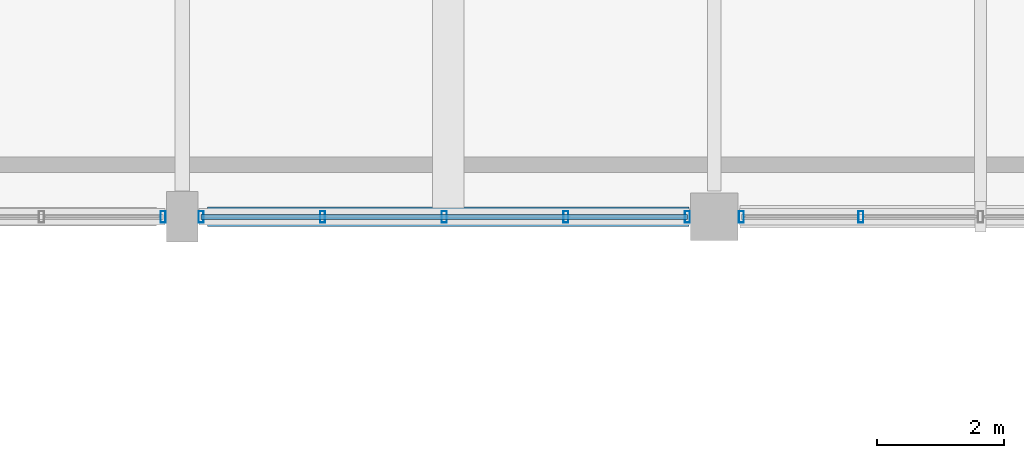
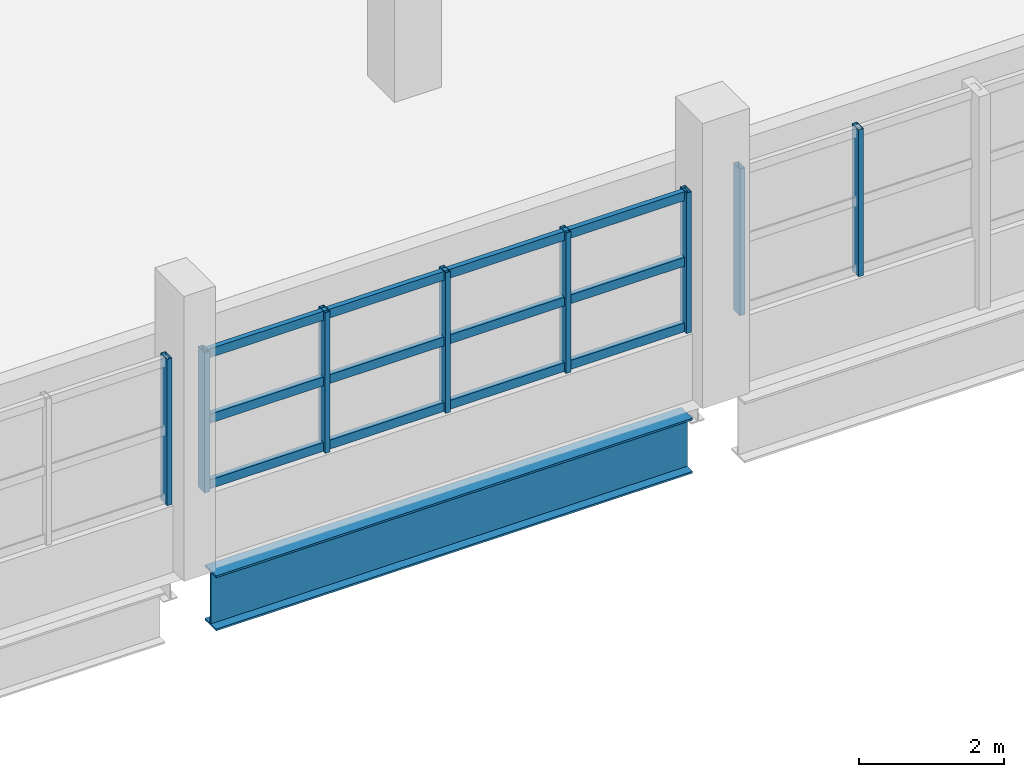
# One storey, part 40 of 117: 11 members, 1 beam, 3 elements without a shape of their own.
"""IFC4 building model written with IfcOpenShell, lengths in metres."""

from ifc_helpers import new_model, si_unit, direction, frame, origin, origin_2d, place, context, subcontext, project, spatial, hollow_rectangle, i_section, extrude, material, material_profile, profile_set, type_object, element, aggregate, save


model = new_model("IFC4")

# Units and contexts
model_context = context("Model", 3, precision=1e-05, world=origin(), true_north=direction((0.0, 1.0)))
body_context = subcontext(model_context, "Body", "Model", "MODEL_VIEW")
ifc_project = project(units=[si_unit("LENGTHUNIT", "METRE"), si_unit("AREAUNIT", "SQUARE_METRE"), si_unit("VOLUMEUNIT", "CUBIC_METRE"), si_unit("PLANEANGLEUNIT", "RADIAN"), si_unit("MASSUNIT", "GRAM", prefix="KILO")], contexts=[model_context])

# Site, building, storey
site_placement = place(None, origin())
site = spatial("IfcSite", under=ifc_project, at=site_placement, CompositionType="ELEMENT")
building_placement = place(site_placement, origin())
building = spatial("IfcBuilding", under=site, at=building_placement, Name="Solvento Point Concert Hall", CompositionType="ELEMENT")
storey_placement = place(building_placement, frame((0.0, 0.0, 5.39990234375)))
storey = spatial("IfcBuildingStorey", under=building, at=storey_placement, Name="L01", CompositionType="ELEMENT", Elevation=5.39990234375)

# Beam
ifc_material_1 = material(Name="Structural Steel ASTM A992 Grade 50", Category="steel")
ifc_material_profile_1 = material_profile(ifc_material_1, i_section(OverallWidth=0.3076171875, OverallDepth=0.927001953125, WebThickness=0.019287109375, FlangeThickness=0.031982421875, at=origin_2d()), Name="W36X194")
ifc_profile_set_1 = profile_set([ifc_material_profile_1], Name="Structural Steel ASTM A992 Grade 50")
beam_type = type_object("IfcBeamType", Name="Girder_W36X194", PredefinedType="USERDEFINED", material=ifc_profile_set_1)
beam_placement = place(storey_placement, frame((32.803955078125, 119.0, -0.747314453125), z_axis=(1.0, 0.0, 0.0), x_axis=(0.0, 1.0, 0.0)))
element("IfcBeam", 1, at=beam_placement, inside=storey, type_object=beam_type, Name="Primary girder B-61 L01", ObjectType="GIRDER", PredefinedType="USERDEFINED", context=body_context, shape_type="SweptSolid", body=[
    extrude(i_section(OverallWidth=0.3076171875, OverallDepth=0.927001953125, WebThickness=0.019287109375, FlangeThickness=0.031982421875, at=origin_2d()), origin(), (0.0, 0.0, 1.0), 7.592041015625),
])

# Curtain wall, member
ifc_material_2 = material(Name="Anodized Bronze Aluminium", Category="aluminium")
curtain_wall_type = type_object("IfcCurtainWallType", Name="CurtainWall_CourtPilotis", PredefinedType="USERDEFINED", material=ifc_material_2)
curtain_wall_1_placement = place(storey_placement, origin())
curtain_wall_1 = element("IfcCurtainWall", 2, at=curtain_wall_1_placement, inside=storey, type_object=curtain_wall_type, Name="Unitised curtain wall CW-96 UCW-L01-134", ObjectType="UNITISED CURTAIN WALL", PredefinedType="USERDEFINED")
ifc_material_3 = material(Name="Anodized Bronze Aluminium", Category="aluminium")
ifc_material_profile_2 = material_profile(ifc_material_3, hollow_rectangle(XDim=0.080078125, YDim=0.179931640625, WallThickness=0.00390625, at=origin_2d()), Name="CW-MUL-80X180")
ifc_profile_set_2 = profile_set([ifc_material_profile_2], Name="Anodized Bronze Aluminium")
member_type_1 = type_object("IfcMemberType", Name="Mullion_80x180", PredefinedType="MULLION", material=ifc_profile_set_2)
member_1_placement = place(storey_placement, frame((32.10009765625, 119.0, 1.1201171875), z_axis=(0.0, 0.0, 1.0), x_axis=(1.0, 0.0, 0.0)))
member_1 = element("IfcMember", 3, at=member_1_placement, type_object=member_type_1, Name="Curtain wall mullion ML-01", PredefinedType="MULLION", context=body_context, shape_type="SweptSolid", body=[
    extrude(hollow_rectangle(XDim=0.080078125, YDim=0.179931640625, WallThickness=0.00390625, at=origin_2d()), origin(), (0.0, 0.0, 1.0), 2.467041015625),
])
aggregate(curtain_wall_1, [member_1])

# Curtain wall, members
curtain_wall_2_placement = place(storey_placement, origin())
curtain_wall_2 = element("IfcCurtainWall", 4, at=curtain_wall_2_placement, inside=storey, type_object=curtain_wall_type, Name="Unitised curtain wall CW-96 UCW-L01-135", ObjectType="UNITISED CURTAIN WALL", PredefinedType="USERDEFINED")
member_2_placement = place(storey_placement, frame((32.699951171875, 119.0, 1.1201171875), z_axis=(0.0, 0.0, 1.0), x_axis=(1.0, 0.0, 0.0)))
member_2 = element("IfcMember", 5, at=member_2_placement, type_object=member_type_1, Name="Curtain wall mullion ML-01", PredefinedType="MULLION", context=body_context, shape_type="SweptSolid", body=[
    extrude(hollow_rectangle(XDim=0.080078125, YDim=0.179931640625, WallThickness=0.00390625, at=origin_2d()), origin(), (0.0, 0.0, 1.0), 2.367919921875),
])
member_3_placement = place(storey_placement, frame((34.618896484375, 119.0, 1.1201171875), z_axis=(0.0, 0.0, 1.0), x_axis=(1.0, 0.0, 0.0)))
member_3 = element("IfcMember", 6, at=member_3_placement, type_object=member_type_1, Name="Curtain wall mullion ML-01", PredefinedType="MULLION", context=body_context, shape_type="SweptSolid", body=[
    extrude(hollow_rectangle(XDim=0.080078125, YDim=0.179931640625, WallThickness=0.00390625, at=origin_2d()), origin(), (0.0, 0.0, 1.0), 2.367919921875),
])
member_4_placement = place(storey_placement, frame((36.53759765625, 119.0, 1.1201171875), z_axis=(0.0, 0.0, 1.0), x_axis=(1.0, 0.0, 0.0)))
member_4 = element("IfcMember", 7, at=member_4_placement, type_object=member_type_1, Name="Curtain wall mullion ML-01", PredefinedType="MULLION", context=body_context, shape_type="SweptSolid", body=[
    extrude(hollow_rectangle(XDim=0.080078125, YDim=0.179931640625, WallThickness=0.00390625, at=origin_2d()), origin(), (0.0, 0.0, 1.0), 2.367919921875),
])
member_5_placement = place(storey_placement, frame((38.456298828125, 119.0, 1.1201171875), z_axis=(0.0, 0.0, 1.0), x_axis=(1.0, 0.0, 0.0)))
member_5 = element("IfcMember", 8, at=member_5_placement, type_object=member_type_1, Name="Curtain wall mullion ML-01", PredefinedType="MULLION", context=body_context, shape_type="SweptSolid", body=[
    extrude(hollow_rectangle(XDim=0.080078125, YDim=0.179931640625, WallThickness=0.00390625, at=origin_2d()), origin(), (0.0, 0.0, 1.0), 2.367919921875),
])
member_6_placement = place(storey_placement, frame((40.375, 119.0, 1.1201171875), z_axis=(0.0, 0.0, 1.0), x_axis=(1.0, 0.0, 0.0)))
member_6 = element("IfcMember", 9, at=member_6_placement, type_object=member_type_1, Name="Curtain wall mullion ML-01", PredefinedType="MULLION", context=body_context, shape_type="SweptSolid", body=[
    extrude(hollow_rectangle(XDim=0.080078125, YDim=0.179931640625, WallThickness=0.00390625, at=origin_2d()), origin(), (0.0, 0.0, 1.0), 2.367919921875),
])

curtain_wall_3_placement = place(storey_placement, origin())
curtain_wall_3 = element("IfcCurtainWall", 10, at=curtain_wall_3_placement, inside=storey, type_object=curtain_wall_type, Name="Unitised curtain wall CW-96 UCW-L01-136", ObjectType="UNITISED CURTAIN WALL", PredefinedType="USERDEFINED")
member_7_placement = place(storey_placement, frame((41.22509765625, 119.0, 1.1201171875), z_axis=(0.0, 0.0, 1.0), x_axis=(1.0, 0.0, 0.0)))
member_7 = element("IfcMember", 11, at=member_7_placement, type_object=member_type_1, Name="Curtain wall mullion ML-01", PredefinedType="MULLION", context=body_context, shape_type="SweptSolid", body=[
    extrude(hollow_rectangle(XDim=0.080078125, YDim=0.179931640625, WallThickness=0.00390625, at=origin_2d()), origin(), (0.0, 0.0, 1.0), 2.473876953125),
])
member_8_placement = place(storey_placement, frame((43.112548828125, 119.0, 1.1201171875), z_axis=(0.0, 0.0, 1.0), x_axis=(1.0, 0.0, 0.0)))
member_8 = element("IfcMember", 12, at=member_8_placement, type_object=member_type_1, Name="Curtain wall mullion ML-01", PredefinedType="MULLION", context=body_context, shape_type="SweptSolid", body=[
    extrude(hollow_rectangle(XDim=0.080078125, YDim=0.179931640625, WallThickness=0.00390625, at=origin_2d()), origin(), (0.0, 0.0, 1.0), 2.473876953125),
])
aggregate(curtain_wall_3, [member_7, member_8])

# Member
ifc_material_4 = material(Name="Anodized Bronze Aluminium", Category="aluminium")
ifc_material_profile_3 = material_profile(ifc_material_4, hollow_rectangle(XDim=0.080078125, YDim=0.14990234375, WallThickness=0.00390625, at=origin_2d()), Name="CW-TRN-80X150")
ifc_profile_set_3 = profile_set([ifc_material_profile_3], Name="Anodized Bronze Aluminium")
member_type_2 = type_object("IfcMemberType", Name="Transom_80x150", PredefinedType="USERDEFINED", material=ifc_profile_set_3)
member_9_placement = place(storey_placement, frame((32.699951171875, 119.0, 1.2001953125), z_axis=(1.0, 0.0, 0.0), x_axis=(0.0, 1.0, 0.0)))
member_9 = element("IfcMember", 13, at=member_9_placement, type_object=member_type_2, Name="Curtain wall transom TR-01", ObjectType="TRANSOM", PredefinedType="USERDEFINED", context=body_context, shape_type="SweptSolid", body=[
    extrude(hollow_rectangle(XDim=0.080078125, YDim=0.14990234375, WallThickness=0.00390625, at=origin_2d()), origin(), (0.0, 0.0, 1.0), 7.675048828125),
])

member_10_placement = place(storey_placement, frame((32.699951171875, 119.0, 2.30419921875), z_axis=(1.0, 0.0, 0.0), x_axis=(0.0, 1.0, 0.0)))
member_10 = element("IfcMember", 14, at=member_10_placement, type_object=member_type_2, Name="Curtain wall transom TR-01", ObjectType="TRANSOM", PredefinedType="USERDEFINED", context=body_context, shape_type="SweptSolid", body=[
    extrude(hollow_rectangle(XDim=0.080078125, YDim=0.14990234375, WallThickness=0.00390625, at=origin_2d()), origin(), (0.0, 0.0, 1.0), 7.675048828125),
])

member_11_placement = place(storey_placement, frame((32.699951171875, 119.0, 3.408203125), z_axis=(1.0, 0.0, 0.0), x_axis=(0.0, 1.0, 0.0)))
member_11 = element("IfcMember", 15, at=member_11_placement, type_object=member_type_2, Name="Curtain wall transom TR-01", ObjectType="TRANSOM", PredefinedType="USERDEFINED", context=body_context, shape_type="SweptSolid", body=[
    extrude(hollow_rectangle(XDim=0.080078125, YDim=0.14990234375, WallThickness=0.00390625, at=origin_2d()), origin(), (0.0, 0.0, 1.0), 7.675048828125),
])

aggregate(curtain_wall_2, [member_2, member_3, member_4, member_5, member_6, member_9, member_10, member_11])

save(model, "model.ifc")
